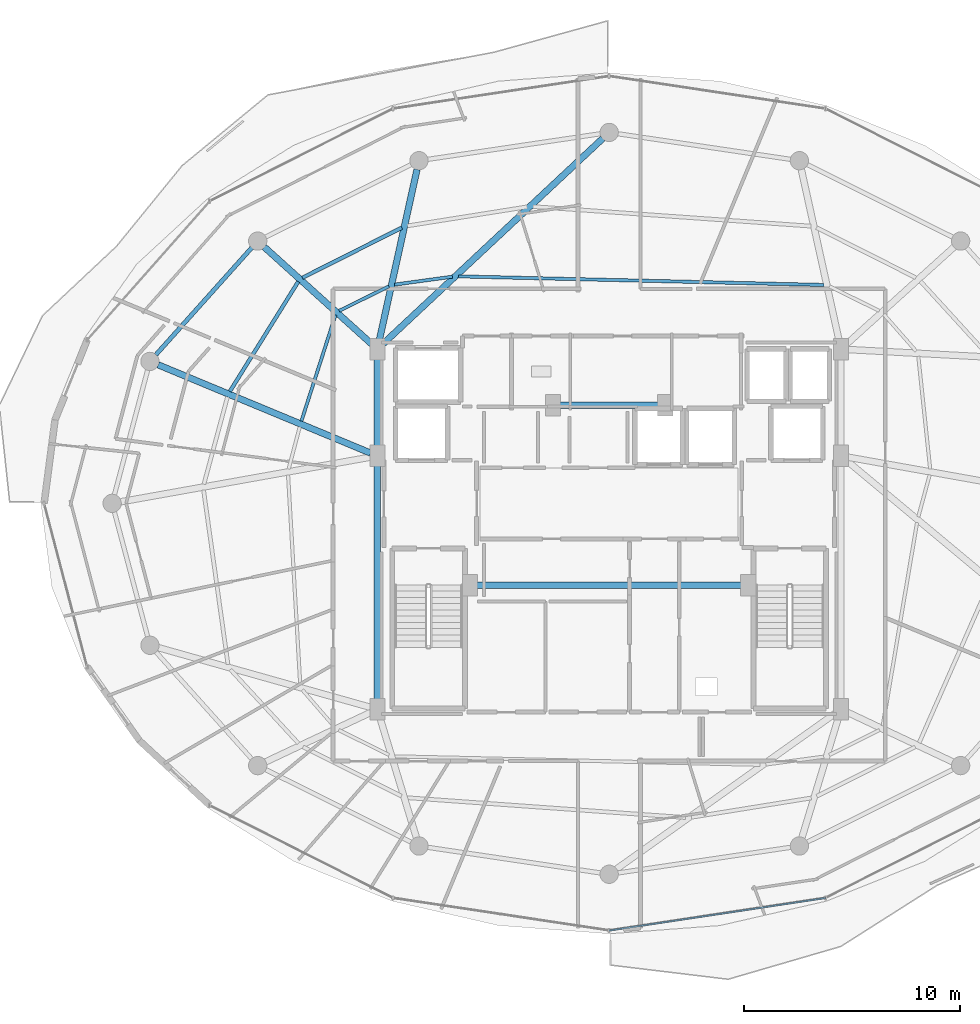
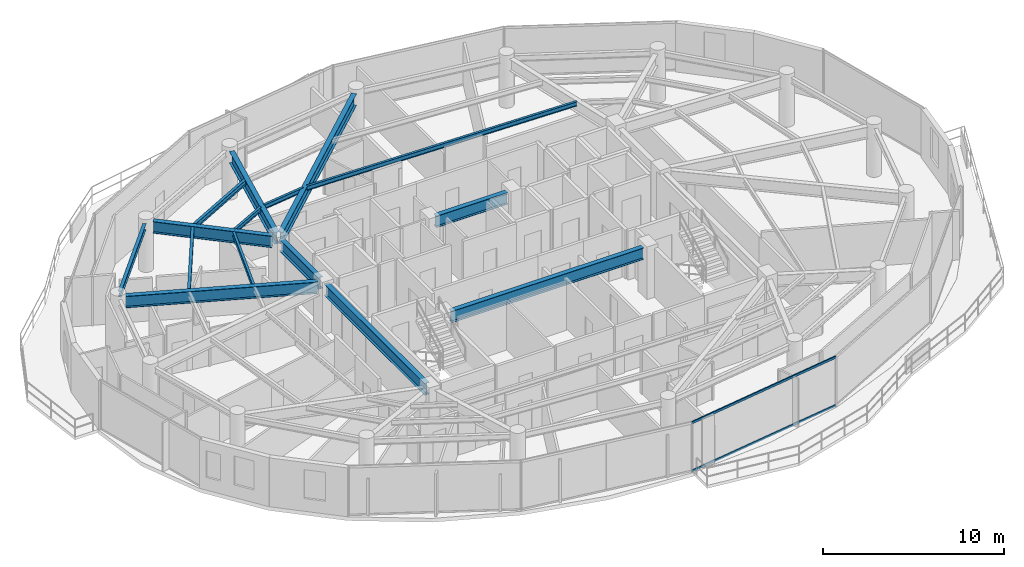
# One storey, part 9 of 30: 15 beams, 2 members, 1 element without a shape of its own.
"""IFC4 building model written with IfcOpenShell, lengths in metres."""

from ifc_helpers import new_model, si_unit, direction, frame, origin, origin_2d, place, context, subcontext, project, spatial, hollow_rectangle, i_section, extrude, material, material_profile, profile_set, type_object, element, aggregate, save


model = new_model("IFC4")

# Units and contexts
model_context = context("Model", 3, precision=1e-05, world=origin(), true_north=direction((0.0, 1.0)))
body_context = subcontext(model_context, "Body", "Model", "MODEL_VIEW")
ifc_project = project(units=[si_unit("LENGTHUNIT", "METRE"), si_unit("AREAUNIT", "SQUARE_METRE"), si_unit("VOLUMEUNIT", "CUBIC_METRE"), si_unit("PLANEANGLEUNIT", "RADIAN"), si_unit("MASSUNIT", "GRAM", prefix="KILO")], contexts=[model_context])

# Site, building, storey
site_placement = place(None, origin())
site = spatial("IfcSite", under=ifc_project, at=site_placement, CompositionType="ELEMENT")
building_placement = place(site_placement, origin())
building = spatial("IfcBuilding", under=site, at=building_placement, Name="Vorneva Point Tower", CompositionType="ELEMENT")
storey_placement = place(building_placement, frame((0.0, 0.0, 234.25)))
storey = spatial("IfcBuildingStorey", under=building, at=storey_placement, Name="L63", CompositionType="ELEMENT", Elevation=234.25)

# Beams
ifc_material_1 = material(Name="Steel S355", Category="steel")
ifc_material_profile_1 = material_profile(ifc_material_1, i_section(OverallWidth=0.300048828125, OverallDepth=0.7880859375, WebThickness=0.014404296875, FlangeThickness=0.02197265625, at=origin_2d()), Name="80Sh1")
ifc_profile_set_1 = profile_set([ifc_material_profile_1], Name="Steel S355")
beam_type_1 = type_object("IfcBeamType", Name="BM-GRD-80Sh1", PredefinedType="USERDEFINED", material=ifc_profile_set_1)
beam_1_placement = place(storey_placement, frame((37.6982421875, 42.91796875, 2.89599609375), z_axis=(-0.730485790946, -0.682927894602, 0.0), x_axis=(0.682927894602, -0.730485790946, 0.0)))
element("IfcBeam", 1, at=beam_1_placement, inside=storey, type_object=beam_type_1, Name="L63 Radial Primary Girder 05", ObjectType="GIRDER", PredefinedType="USERDEFINED", context=body_context, shape_type="SweptSolid", body=[
    extrude(i_section(OverallWidth=0.300048828125, OverallDepth=0.7880859375, WebThickness=0.014404296875, FlangeThickness=0.02197265625, at=origin_2d()), origin(), (0.0, 0.0, 1.0), 13.963134765625),
])
beam_2_placement = place(storey_placement, frame((29.090087890625, 41.4873046875, 2.89599609375), z_axis=(-0.215520742957, -0.976499262342, 0.0), x_axis=(0.976499262342, -0.215520742957, 0.0)))
element("IfcBeam", 2, at=beam_2_placement, inside=storey, type_object=beam_type_1, Name="L63 Radial Primary Girder 06", ObjectType="GIRDER", PredefinedType="USERDEFINED", context=body_context, shape_type="SweptSolid", body=[
    extrude(i_section(OverallWidth=0.300048828125, OverallDepth=0.7880859375, WebThickness=0.014404296875, FlangeThickness=0.02197265625, at=origin_2d()), origin(), (0.0, 0.0, 1.0), 8.197998046875),
])
beam_3_placement = place(storey_placement, frame((22.0078125, 37.885498046875, 2.89599609375), z_axis=(0.7420671051, -0.670325601128, 0.0), x_axis=(0.670325601128, 0.7420671051, 0.0)))
element("IfcBeam", 3, at=beam_3_placement, inside=storey, type_object=beam_type_1, Name="L63 Radial Primary Girder 07", ObjectType="GIRDER", PredefinedType="USERDEFINED", context=body_context, shape_type="SweptSolid", body=[
    extrude(i_section(OverallWidth=0.300048828125, OverallDepth=0.7880859375, WebThickness=0.014404296875, FlangeThickness=0.02197265625, at=origin_2d()), origin(), (0.0, 0.0, 1.0), 6.724365234375),
])
beam_4_placement = place(storey_placement, frame((17.0859375, 32.423583984375, 2.89599609375), z_axis=(0.923448932068, -0.383721344027, 0.0), x_axis=(0.383721344027, 0.923448932068, 0.0)))
element("IfcBeam", 4, at=beam_4_placement, inside=storey, type_object=beam_type_1, Name="L63 Radial Primary Girder 08", ObjectType="GIRDER", PredefinedType="USERDEFINED", context=body_context, shape_type="SweptSolid", body=[
    extrude(i_section(OverallWidth=0.300048828125, OverallDepth=0.7880859375, WebThickness=0.014404296875, FlangeThickness=0.02197265625, at=origin_2d()), origin(), (0.0, 0.0, 1.0), 10.666748046875),
])
beam_5_placement = place(storey_placement, frame((27.25, 16.77001953125, 2.89599609375), z_axis=(0.0, 1.0, 0.0), x_axis=(-1.0, 0.0, 0.0)))
element("IfcBeam", 5, at=beam_5_placement, inside=storey, type_object=beam_type_1, Name="L63 Core Tie Girder CT1", ObjectType="GIRDER", PredefinedType="USERDEFINED", context=body_context, shape_type="SweptSolid", body=[
    extrude(i_section(OverallWidth=0.300048828125, OverallDepth=0.7880859375, WebThickness=0.014404296875, FlangeThickness=0.02197265625, at=origin_2d()), origin(), (0.0, 0.0, 1.0), 11.10986328125),
])
beam_6_placement = place(storey_placement, frame((27.25, 28.52001953125, 2.89599609375), z_axis=(0.0, 1.0, 0.0), x_axis=(-1.0, 0.0, 0.0)))
element("IfcBeam", 6, at=beam_6_placement, inside=storey, type_object=beam_type_1, Name="L63 Core Tie Girder CT2", ObjectType="GIRDER", PredefinedType="USERDEFINED", context=body_context, shape_type="SweptSolid", body=[
    extrude(i_section(OverallWidth=0.300048828125, OverallDepth=0.7880859375, WebThickness=0.014404296875, FlangeThickness=0.02197265625, at=origin_2d()), origin(), (0.0, 0.0, 1.0), 4.31005859375),
])
beam_7_placement = place(storey_placement, frame((35.719970703125, 30.550048828125, 2.89599609375), z_axis=(1.0, 0.0, 0.0), x_axis=(0.0, 1.0, 0.0)))
element("IfcBeam", 7, at=beam_7_placement, inside=storey, type_object=beam_type_1, Name="L63 Core Tie Girder CT8", ObjectType="GIRDER", PredefinedType="USERDEFINED", context=body_context, shape_type="SweptSolid", body=[
    extrude(i_section(OverallWidth=0.300048828125, OverallDepth=0.7880859375, WebThickness=0.014404296875, FlangeThickness=0.02197265625, at=origin_2d()), origin(), (0.0, 0.0, 1.0), 4.56005859375),
])
beam_8_placement = place(storey_placement, frame((31.8701171875, 22.199951171875, 2.89599609375), z_axis=(1.0, 0.0, 0.0), x_axis=(0.0, 1.0, 0.0)))
element("IfcBeam", 8, at=beam_8_placement, inside=storey, type_object=beam_type_1, Name="L63 Core Tie Girder CT7", ObjectType="GIRDER", PredefinedType="USERDEFINED", context=body_context, shape_type="SweptSolid", body=[
    extrude(i_section(OverallWidth=0.300048828125, OverallDepth=0.7880859375, WebThickness=0.014404296875, FlangeThickness=0.02197265625, at=origin_2d()), origin(), (0.0, 0.0, 1.0), 12.259765625),
])
ifc_material_profile_2 = material_profile(ifc_material_1, i_section(OverallWidth=0.14892578125, OverallDepth=0.298095703125, WebThickness=0.005615234375, FlangeThickness=0.008056640625, at=origin_2d()), Name="30B1")
ifc_profile_set_2 = profile_set([ifc_material_profile_2], Name="Steel S355")
beam_type_2 = type_object("IfcBeamType", Name="BM-JST-30B1", PredefinedType="JOIST", material=ifc_profile_set_2)
beam_9_placement = place(storey_placement, frame((47.955810546875, 36.126953125, 3.14111328125), z_axis=(-0.999723274381, 0.023523916799, 0.0), x_axis=(-0.023523916799, -0.999723274381, 0.0)))
element("IfcBeam", 9, at=beam_9_placement, inside=storey, type_object=beam_type_2, Name="L63 Secondary Floor Beam 2.04", PredefinedType="JOIST", context=body_context, shape_type="SweptSolid", body=[
    extrude(i_section(OverallWidth=0.14892578125, OverallDepth=0.298095703125, WebThickness=0.005615234375, FlangeThickness=0.008056640625, at=origin_2d()), origin(), (0.0, 0.0, 1.0), 16.958251953125),
])
beam_10_placement = place(storey_placement, frame((30.7275390625, 36.51025390625, 3.14111328125), z_axis=(-0.990749387049, -0.135704281664, 0.0), x_axis=(0.135704281664, -0.990749387049, 0.0)))
element("IfcBeam", 10, at=beam_10_placement, inside=storey, type_object=beam_type_2, Name="L63 Secondary Floor Beam 2.05", PredefinedType="JOIST", context=body_context, shape_type="SweptSolid", body=[
    extrude(i_section(OverallWidth=0.14892578125, OverallDepth=0.298095703125, WebThickness=0.005615234375, FlangeThickness=0.008056640625, at=origin_2d()), origin(), (0.0, 0.0, 1.0), 2.70947265625),
])
beam_11_placement = place(storey_placement, frame((27.782470703125, 36.062744140625, 3.14111328125), z_axis=(-0.897106439702, -0.441814481254, 0.0), x_axis=(0.441814481254, -0.897106439702, 0.0)))
element("IfcBeam", 11, at=beam_11_placement, inside=storey, type_object=beam_type_2, Name="L63 Secondary Floor Beam 2.06", PredefinedType="JOIST", context=body_context, shape_type="SweptSolid", body=[
    extrude(i_section(OverallWidth=0.14892578125, OverallDepth=0.298095703125, WebThickness=0.005615234375, FlangeThickness=0.008056640625, at=origin_2d()), origin(), (0.0, 0.0, 1.0), 2.572265625),
])
beam_12_placement = place(storey_placement, frame((25.308837890625, 34.73388671875, 3.14111328125), z_axis=(-0.305865464812, -0.952074743618, 0.0), x_axis=(0.952074743618, -0.305865464812, 0.0)))
element("IfcBeam", 12, at=beam_12_placement, inside=storey, type_object=beam_type_2, Name="L63 Secondary Floor Beam 2.07", PredefinedType="JOIST", context=body_context, shape_type="SweptSolid", body=[
    extrude(i_section(OverallWidth=0.14892578125, OverallDepth=0.298095703125, WebThickness=0.005615234375, FlangeThickness=0.008056640625, at=origin_2d()), origin(), (0.0, 0.0, 1.0), 5.169189453125),
])
ifc_material_profile_3 = material_profile(ifc_material_1, i_section(OverallWidth=0.174072265625, OverallDepth=0.345947265625, WebThickness=0.006103515625, FlangeThickness=0.009033203125, at=origin_2d()), Name="35B1")
ifc_profile_set_3 = profile_set([ifc_material_profile_3], Name="Steel S355")
beam_type_3 = type_object("IfcBeamType", Name="BM-SEC-35B1", PredefinedType="BEAM", material=ifc_profile_set_3)
beam_13_placement = place(storey_placement, frame((28.3837890625, 38.783447265625, 3.116943359375), z_axis=(-0.892860048752, -0.450334246246, 0.0), x_axis=(0.450334246246, -0.892860048752, 0.0)))
element("IfcBeam", 13, at=beam_13_placement, inside=storey, type_object=beam_type_3, Name="L63 Secondary Floor Beam 1.06", PredefinedType="BEAM", context=body_context, shape_type="SweptSolid", body=[
    extrude(i_section(OverallWidth=0.174072265625, OverallDepth=0.345947265625, WebThickness=0.006103515625, FlangeThickness=0.009033203125, at=origin_2d()), origin(), (0.0, 0.0, 1.0), 5.158935546875),
])
beam_14_placement = place(storey_placement, frame((23.581298828125, 36.28076171875, 3.116943359375), z_axis=(-0.528831274258, -0.848726978107, 0.0), x_axis=(0.848726978107, -0.528831274258, 0.0)))
element("IfcBeam", 14, at=beam_14_placement, inside=storey, type_object=beam_type_3, Name="L63 Secondary Floor Beam 1.07", PredefinedType="BEAM", context=body_context, shape_type="SweptSolid", body=[
    extrude(i_section(OverallWidth=0.174072265625, OverallDepth=0.345947265625, WebThickness=0.006103515625, FlangeThickness=0.009033203125, at=origin_2d()), origin(), (0.0, 0.0, 1.0), 5.997802734375),
])
ifc_material_profile_4 = material_profile(ifc_material_1, i_section(OverallWidth=0.198974609375, OverallDepth=0.39599609375, WebThickness=0.007080078125, FlangeThickness=0.010986328125, at=origin_2d()), Name="40B1")
ifc_profile_set_4 = profile_set([ifc_material_profile_4], Name="Steel S355")
beam_type_4 = type_object("IfcBeamType", Name="BM-SPN-40B1", PredefinedType="SPANDREL", material=ifc_profile_set_4)
beam_15_placement = place(storey_placement, frame((21.427734375, 37.856689453125, 3.092041015625), z_axis=(-0.667108282638, -0.744960763554, 0.0), x_axis=(0.744960763554, -0.667108282638, 0.0)))
element("IfcBeam", 15, at=beam_15_placement, inside=storey, type_object=beam_type_4, Name="L63 Perimeter Spandrel Ring Beam 07", PredefinedType="SPANDREL", context=body_context, shape_type="SweptSolid", body=[
    extrude(i_section(OverallWidth=0.198974609375, OverallDepth=0.39599609375, WebThickness=0.007080078125, FlangeThickness=0.010986328125, at=origin_2d()), origin(), (0.0, 0.0, 1.0), 6.670166015625),
])

# Curtain wall, members
ifc_material_2 = material(Name="Pale anodised aluminium", Category="aluminium")
curtain_wall_type = type_object("IfcCurtainWallType", Name="CW-RES-SYS", PredefinedType="NOTDEFINED", material=ifc_material_2)
curtain_wall_placement = place(storey_placement, origin())
curtain_wall = element("IfcCurtainWall", 16, at=curtain_wall_placement, inside=storey, type_object=curtain_wall_type, Name="L63 Unitised Curtain Wall CW-L63-R04", PredefinedType="NOTDEFINED")
ifc_material_profile_5 = material_profile(ifc_material_2, hollow_rectangle(XDim=0.074951171875, YDim=0.14990234375, WallThickness=0.00390625, at=origin_2d()), Name="AL-TRN 150x75x4")
ifc_profile_set_5 = profile_set([ifc_material_profile_5], Name="Pale anodised aluminium")
member_type = type_object("IfcMemberType", Name="CW-TRN-150", PredefinedType="USERDEFINED", material=ifc_profile_set_5)
member_1_placement = place(storey_placement, frame((38.0, 6.18994140625, 0.02001953125), z_axis=(0.988876929856, 0.148736066907, 0.0), x_axis=(-0.148736066907, 0.988876929856, 0.0)))
member_1 = element("IfcMember", 17, at=member_1_placement, type_object=member_type, Name="CW-L63-R04 Transom 03.1", ObjectType="TRANSOM", PredefinedType="USERDEFINED", context=body_context, shape_type="SweptSolid", body=[
    extrude(hollow_rectangle(XDim=0.074951171875, YDim=0.14990234375, WallThickness=0.00390625, at=origin_2d()), origin(), (0.0, 0.0, 1.0), 10.13916015625),
])
member_2_placement = place(storey_placement, frame((38.0, 6.18994140625, 3.27001953125), z_axis=(0.988876929856, 0.148736066907, 0.0), x_axis=(-0.148736066907, 0.988876929856, 0.0)))
member_2 = element("IfcMember", 18, at=member_2_placement, type_object=member_type, Name="CW-L63-R04 Transom 03.2", ObjectType="TRANSOM", PredefinedType="USERDEFINED", context=body_context, shape_type="SweptSolid", body=[
    extrude(hollow_rectangle(XDim=0.074951171875, YDim=0.14990234375, WallThickness=0.00390625, at=origin_2d()), origin(), (0.0, 0.0, 1.0), 10.13916015625),
])
aggregate(curtain_wall, [member_1, member_2])

save(model, "model.ifc")
